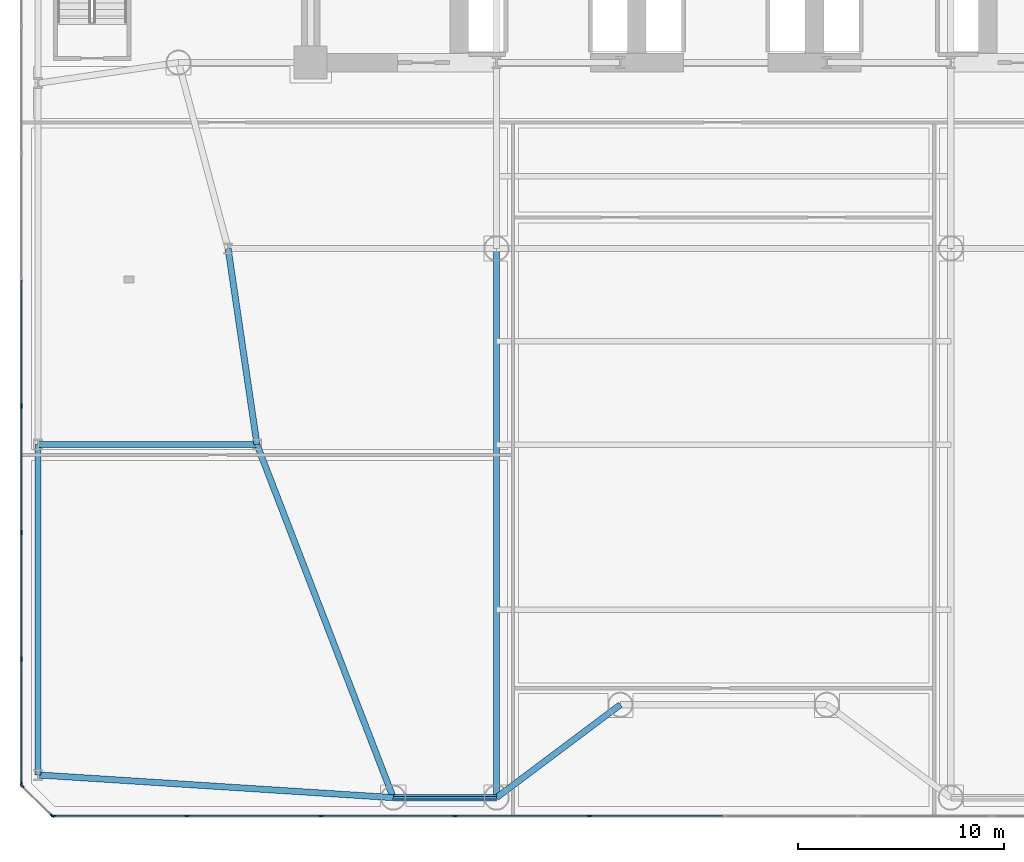
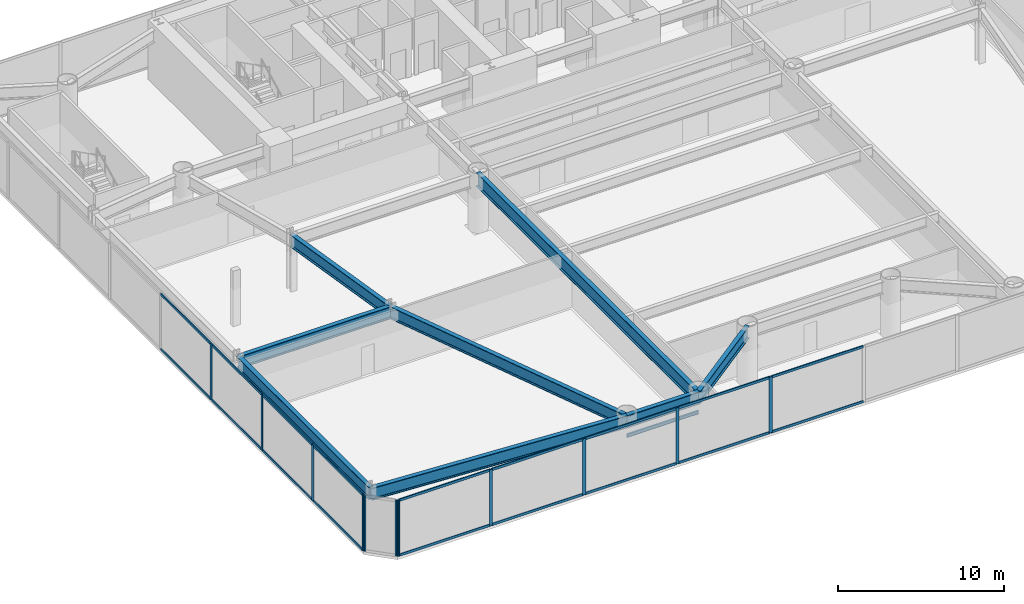
# One storey, part 2 of 24: 29 members, 9 beams, 3 elements without a shape of their own.
"""IFC4 building model written with IfcOpenShell, lengths in metres."""

from ifc_helpers import new_model, si_unit, direction, frame, origin, origin_2d, place, context, subcontext, project, spatial, rectangle, i_section, extrude, source, transform, mapped, material, layer, layer_set, material_profile, profile_set, type_object, element, aggregate, save


model = new_model("IFC4")

# Units and contexts
model_context = context("Model", 3, precision=1e-05, world=origin(), true_north=direction((0.0, 1.0)))
body_context = subcontext(model_context, "Body", "Model", "MODEL_VIEW")
ifc_project = project(units=[si_unit("LENGTHUNIT", "METRE"), si_unit("AREAUNIT", "SQUARE_METRE"), si_unit("VOLUMEUNIT", "CUBIC_METRE"), si_unit("PLANEANGLEUNIT", "RADIAN"), si_unit("MASSUNIT", "GRAM", prefix="KILO")], contexts=[model_context])

# Site, building, storey
site_placement = place(None, origin())
site = spatial("IfcSite", under=ifc_project, at=site_placement, CompositionType="ELEMENT")
building_placement = place(site_placement, origin())
building = spatial("IfcBuilding", under=site, at=building_placement, Name="Vaeldorn Concourse Tower", CompositionType="ELEMENT")
storey_placement = place(building_placement, frame((0.0, 0.0, 10.0)))
storey = spatial("IfcBuildingStorey", under=building, at=storey_placement, Name="L02", CompositionType="ELEMENT", Elevation=10.0)

# Beams
ifc_material_1 = material(Name="Steel S355", Category="steel")
ifc_material_profile_1 = material_profile(ifc_material_1, i_section(OverallWidth=0.302001953125, OverallDepth=0.909912109375, WebThickness=0.02099609375, FlangeThickness=0.0400390625, FilletRadius=0.030029296875, at=origin_2d()), Name="HEM 900")
ifc_profile_set_1 = profile_set([ifc_material_profile_1], Name="Steel S355")
beam_type_1 = type_object("IfcBeamType", Name="BM-PG-HEM900", PredefinedType="BEAM", material=ifc_profile_set_1)
shared_shape_1 = source(origin(), body_context, "Body", "SweptSolid", [
    extrude(i_section(OverallWidth=0.302001953125, OverallDepth=0.909912109375, WebThickness=0.02099609375, FlangeThickness=0.0400390625, FilletRadius=0.030029296875, at=origin_2d()), origin(), (0.0, 0.0, 1.0), 16.0),
])
beam_1_placement = place(storey_placement, frame((0.800048828125, 2.0, 3.6650390625), z_axis=(0.0, 1.0, 0.0), x_axis=(-1.0, 0.0, 0.0)))
element("IfcBeam", 1, at=beam_1_placement, inside=storey, type_object=beam_type_1, Name="Beam BM-L02-C-PW1-C-PW2", PredefinedType="BEAM", context=body_context, shape_type="MappedRepresentation", body=[
    mapped(shared_shape_1, transform((0.0, 0.0, 0.0), scale=1.0)),
])
shared_shape_2 = source(origin(), body_context, "Body", "SweptSolid", [
    extrude(i_section(OverallWidth=0.302001953125, OverallDepth=0.909912109375, WebThickness=0.02099609375, FlangeThickness=0.0400390625, FilletRadius=0.030029296875, at=origin_2d()), origin(), (0.0, 0.0, 1.0), 5.0),
])
beam_2_placement = place(storey_placement, frame((18.0, 0.89990234375, 3.6650390625), z_axis=(1.0, 0.0, 0.0), x_axis=(0.0, 1.0, 0.0)))
element("IfcBeam", 2, at=beam_2_placement, inside=storey, type_object=beam_type_1, Name="Beam BM-L02-C-SM1-C-SM2", PredefinedType="BEAM", context=body_context, shape_type="MappedRepresentation", body=[
    mapped(shared_shape_2, transform((0.0, 0.0, 0.0), scale=1.0)),
])
shared_shape_3 = source(origin(), body_context, "Body", "SweptSolid", [
    extrude(i_section(OverallWidth=0.302001953125, OverallDepth=0.909912109375, WebThickness=0.02099609375, FlangeThickness=0.0400390625, FilletRadius=0.030029296875, at=origin_2d()), origin(), (0.0, 0.0, 1.0), 7.5),
])
beam_3_placement = place(storey_placement, frame((23.0, 0.89990234375, 3.6650390625), z_axis=(0.8, 0.6, 0.0), x_axis=(-0.6, 0.8, 0.0)))
element("IfcBeam", 3, at=beam_3_placement, inside=storey, type_object=beam_type_1, Name="Beam BM-L02-C-SM2-C-SM3", PredefinedType="BEAM", context=body_context, shape_type="MappedRepresentation", body=[
    mapped(shared_shape_3, transform((0.0, 0.0, 0.0), scale=1.0)),
])
shared_shape_4 = source(origin(), body_context, "Body", "SweptSolid", [
    extrude(i_section(OverallWidth=0.302001953125, OverallDepth=0.909912109375, WebThickness=0.02099609375, FlangeThickness=0.0400390625, FilletRadius=0.030029296875, at=origin_2d()), origin(), (0.0, 0.0, 1.0), 17.235107421875),
])
beam_4_placement = place(storey_placement, frame((0.800048828125, 2.0, 3.6650390625), z_axis=(0.997960855094, -0.063828925254, 0.0), x_axis=(0.063828925254, 0.997960855094, 0.0)))
element("IfcBeam", 4, at=beam_4_placement, inside=storey, type_object=beam_type_1, Name="Beam BM-L02-C-PW1-C-SM1", PredefinedType="BEAM", context=body_context, shape_type="MappedRepresentation", body=[
    mapped(shared_shape_4, transform((0.0, 0.0, 0.0), scale=1.0)),
])
shared_shape_5 = source(origin(), body_context, "Body", "SweptSolid", [
    extrude(i_section(OverallWidth=0.302001953125, OverallDepth=0.909912109375, WebThickness=0.02099609375, FlangeThickness=0.0400390625, FilletRadius=0.030029296875, at=origin_2d()), origin(), (0.0, 0.0, 1.0), 9.6025390625),
])
beam_5_placement = place(storey_placement, frame((10.0, 27.5, 3.6650390625), z_axis=(0.145783835977, -0.989316467652, 0.0), x_axis=(0.989316467652, 0.145783835977, 0.0)))
element("IfcBeam", 5, at=beam_5_placement, inside=storey, type_object=beam_type_1, Name="Beam BM-L02-C-FLW1-C-FLW2", PredefinedType="BEAM", context=body_context, shape_type="MappedRepresentation", body=[
    mapped(shared_shape_5, transform((0.0, 0.0, 0.0), scale=1.0)),
])
shared_shape_6 = source(origin(), body_context, "Body", "SweptSolid", [
    extrude(i_section(OverallWidth=0.302001953125, OverallDepth=0.909912109375, WebThickness=0.02099609375, FlangeThickness=0.0400390625, FilletRadius=0.030029296875, at=origin_2d()), origin(), (0.0, 0.0, 1.0), 18.32958984375),
])
beam_6_placement = place(storey_placement, frame((11.39990234375, 18.0, 3.6650390625), z_axis=(0.36007844134, -0.932922031084, 0.0), x_axis=(0.932922031084, 0.36007844134, 0.0)))
element("IfcBeam", 6, at=beam_6_placement, inside=storey, type_object=beam_type_1, Name="Beam BM-L02-C-FLW2-C-SM1", PredefinedType="BEAM", context=body_context, shape_type="MappedRepresentation", body=[
    mapped(shared_shape_6, transform((0.0, 0.0, 0.0), scale=1.0)),
])
ifc_material_2 = material(Name="Steel S460", Category="steel")
ifc_material_profile_2 = material_profile(ifc_material_2, i_section(OverallWidth=0.302001953125, OverallDepth=1.008056640625, WebThickness=0.02099609375, FlangeThickness=0.0400390625, FilletRadius=0.030029296875, at=origin_2d()), Name="HEM 1000")
ifc_profile_set_2 = profile_set([ifc_material_profile_2], Name="Steel S460")
beam_type_2 = type_object("IfcBeamType", Name="BM-TG-HEM1000", PredefinedType="BEAM", material=ifc_profile_set_2)
shared_shape_7 = source(origin(), body_context, "Body", "SweptSolid", [
    extrude(i_section(OverallWidth=0.302001953125, OverallDepth=1.008056640625, WebThickness=0.02099609375, FlangeThickness=0.0400390625, FilletRadius=0.030029296875, at=origin_2d()), origin(), (0.0, 0.0, 1.0), 26.60009765625),
])
beam_7_placement = place(storey_placement, frame((23.0, 0.89990234375, 3.615966796875), z_axis=(0.0, 1.0, 0.0), x_axis=(-1.0, 0.0, 0.0)))
element("IfcBeam", 7, at=beam_7_placement, inside=storey, type_object=beam_type_2, Name="Beam BM-L02-C-SM2-C-TW1", PredefinedType="BEAM", context=body_context, shape_type="MappedRepresentation", body=[
    mapped(shared_shape_7, transform((0.0, 0.0, 0.0), scale=1.0)),
])
shared_shape_8 = source(origin(), body_context, "Body", "SweptSolid", [
    extrude(i_section(OverallWidth=0.302001953125, OverallDepth=0.909912109375, WebThickness=0.02099609375, FlangeThickness=0.0400390625, FilletRadius=0.030029296875, at=origin_2d()), origin(), (0.0, 0.0, 1.0), 10.599853515625),
])
beam_8_placement = place(storey_placement, frame((0.800048828125, 18.0, 3.6650390625), z_axis=(1.0, 0.0, 0.0), x_axis=(0.0, 1.0, 0.0)))
element("IfcBeam", 8, at=beam_8_placement, inside=storey, type_object=beam_type_1, Name="Beam BM-L02-C-PW2-C-FLW2", PredefinedType="BEAM", context=body_context, shape_type="MappedRepresentation", body=[
    mapped(shared_shape_8, transform((0.0, 0.0, 0.0), scale=1.0)),
])
ifc_material_profile_3 = material_profile(ifc_material_1, i_section(OverallWidth=0.1201171875, OverallDepth=0.239990234375, WebThickness=0.006103515625, FlangeThickness=0.009765625, FilletRadius=0.014892578125, at=origin_2d()), Name="IPE 240")
ifc_profile_set_3 = profile_set([ifc_material_profile_3], Name="Steel S355")
beam_type_3 = type_object("IfcBeamType", Name="BM-LN-IPE240", PredefinedType="LINTEL", material=ifc_profile_set_3)
shared_shape_9 = source(origin(), body_context, "Body", "SweptSolid", [
    extrude(i_section(OverallWidth=0.1201171875, OverallDepth=0.239990234375, WebThickness=0.006103515625, FlangeThickness=0.009765625, FilletRadius=0.014892578125, at=origin_2d()), origin(), (0.0, 0.0, 1.0), 5.0),
])
beam_9_placement = place(storey_placement, frame((18.0, 0.89990234375, 2.550048828125), z_axis=(1.0, 0.0, 0.0), x_axis=(0.0, 1.0, 0.0)))
element("IfcBeam", 9, at=beam_9_placement, inside=storey, type_object=beam_type_3, Name="Podium Concourse Transom Lintel L02-1", PredefinedType="LINTEL", context=body_context, shape_type="MappedRepresentation", body=[
    mapped(shared_shape_9, transform((0.0, 0.0, 0.0), scale=1.0)),
])

# Curtain wall, members
ifc_material_3 = material(Name="Anodised Bronze Aluminium", Category="aluminium")
ifc_layer = layer(ifc_material_3, 0.239990234375)
ifc_layer_set = layer_set([ifc_layer], Name="Anodised Bronze Aluminium")
curtain_wall_type = type_object("IfcCurtainWallType", Name="CW-SYS-04", PredefinedType="NOTDEFINED", material=ifc_layer_set)
curtain_wall_1_placement = place(storey_placement, origin())
curtain_wall_1 = element("IfcCurtainWall", 10, at=curtain_wall_1_placement, inside=storey, type_object=curtain_wall_type, Name="Unitised Curtain Wall CW-L02-E01-1", PredefinedType="NOTDEFINED")
ifc_material_profile_4 = material_profile(ifc_material_3, rectangle(XDim=0.074951171875, YDim=0.179931640625, at=origin_2d()), Name="CWT 75x180")
ifc_profile_set_4 = profile_set([ifc_material_profile_4], Name="Anodised Bronze Aluminium")
member_type_1 = type_object("IfcMemberType", Name="CWT-BRONZE-180", PredefinedType="USERDEFINED", material=ifc_profile_set_4)
shared_shape_10 = source(origin(), body_context, "Body", "SweptSolid", [
    extrude(rectangle(XDim=0.074951171875, YDim=0.179931640625, at=origin_2d()), origin(), (0.0, 0.0, 1.0), 6.387451171875),
])
member_1_placement = place(storey_placement, frame((1.574951171875, 0.0, 0.03759765625), z_axis=(1.0, 0.0, 0.0), x_axis=(0.0, 1.0, 0.0)))
member_1 = element("IfcMember", 11, at=member_1_placement, type_object=member_type_1, Name="CW-04 transom 1.1", ObjectType="TRANSOM", PredefinedType="USERDEFINED", context=body_context, shape_type="MappedRepresentation", body=[
    mapped(shared_shape_10, transform((0.0, 0.0, 0.0), scale=1.0)),
])
member_2_placement = place(storey_placement, frame((1.574951171875, 0.0, 4.08251953125), z_axis=(1.0, 0.0, 0.0), x_axis=(0.0, 1.0, 0.0)))
member_2 = element("IfcMember", 12, at=member_2_placement, type_object=member_type_1, Name="CW-04 transom 1.2", ObjectType="TRANSOM", PredefinedType="USERDEFINED", context=body_context, shape_type="MappedRepresentation", body=[
    mapped(shared_shape_10, transform((0.0, 0.0, 0.0), scale=1.0)),
])
shared_shape_11 = source(origin(), body_context, "Body", "SweptSolid", [
    extrude(rectangle(XDim=0.074951171875, YDim=0.179931640625, at=origin_2d()), origin(), (0.0, 0.0, 1.0), 6.4248046875),
])
member_3_placement = place(storey_placement, frame((8.03759765625, 0.0, 0.03759765625), z_axis=(1.0, 0.0, 0.0), x_axis=(0.0, 1.0, 0.0)))
member_3 = element("IfcMember", 13, at=member_3_placement, type_object=member_type_1, Name="CW-04 transom 2.1", ObjectType="TRANSOM", PredefinedType="USERDEFINED", context=body_context, shape_type="MappedRepresentation", body=[
    mapped(shared_shape_11, transform((0.0, 0.0, 0.0), scale=1.0)),
])
member_4_placement = place(storey_placement, frame((8.03759765625, 0.0, 4.08251953125), z_axis=(1.0, 0.0, 0.0), x_axis=(0.0, 1.0, 0.0)))
member_4 = element("IfcMember", 14, at=member_4_placement, type_object=member_type_1, Name="CW-04 transom 2.2", ObjectType="TRANSOM", PredefinedType="USERDEFINED", context=body_context, shape_type="MappedRepresentation", body=[
    mapped(shared_shape_11, transform((0.0, 0.0, 0.0), scale=1.0)),
])
member_5_placement = place(storey_placement, frame((14.53759765625, 0.0, 0.03759765625), z_axis=(1.0, 0.0, 0.0), x_axis=(0.0, 1.0, 0.0)))
member_5 = element("IfcMember", 15, at=member_5_placement, type_object=member_type_1, Name="CW-04 transom 3.1", ObjectType="TRANSOM", PredefinedType="USERDEFINED", context=body_context, shape_type="MappedRepresentation", body=[
    mapped(shared_shape_11, transform((0.0, 0.0, 0.0), scale=1.0)),
])
member_6_placement = place(storey_placement, frame((14.53759765625, 0.0, 4.08251953125), z_axis=(1.0, 0.0, 0.0), x_axis=(0.0, 1.0, 0.0)))
member_6 = element("IfcMember", 16, at=member_6_placement, type_object=member_type_1, Name="CW-04 transom 3.2", ObjectType="TRANSOM", PredefinedType="USERDEFINED", context=body_context, shape_type="MappedRepresentation", body=[
    mapped(shared_shape_11, transform((0.0, 0.0, 0.0), scale=1.0)),
])
member_7_placement = place(storey_placement, frame((21.03759765625, 0.0, 0.03759765625), z_axis=(1.0, 0.0, 0.0), x_axis=(0.0, 1.0, 0.0)))
member_7 = element("IfcMember", 17, at=member_7_placement, type_object=member_type_1, Name="CW-04 transom 4.1", ObjectType="TRANSOM", PredefinedType="USERDEFINED", context=body_context, shape_type="MappedRepresentation", body=[
    mapped(shared_shape_11, transform((0.0, 0.0, 0.0), scale=1.0)),
])
member_8_placement = place(storey_placement, frame((21.03759765625, 0.0, 4.08251953125), z_axis=(1.0, 0.0, 0.0), x_axis=(0.0, 1.0, 0.0)))
member_8 = element("IfcMember", 18, at=member_8_placement, type_object=member_type_1, Name="CW-04 transom 4.2", ObjectType="TRANSOM", PredefinedType="USERDEFINED", context=body_context, shape_type="MappedRepresentation", body=[
    mapped(shared_shape_11, transform((0.0, 0.0, 0.0), scale=1.0)),
])
member_9_placement = place(storey_placement, frame((27.53759765625, 0.0, 0.03759765625), z_axis=(1.0, 0.0, 0.0), x_axis=(0.0, 1.0, 0.0)))
member_9 = element("IfcMember", 19, at=member_9_placement, type_object=member_type_1, Name="CW-04 transom 5.1", ObjectType="TRANSOM", PredefinedType="USERDEFINED", context=body_context, shape_type="MappedRepresentation", body=[
    mapped(shared_shape_11, transform((0.0, 0.0, 0.0), scale=1.0)),
])
member_10_placement = place(storey_placement, frame((27.53759765625, 0.0, 4.08251953125), z_axis=(1.0, 0.0, 0.0), x_axis=(0.0, 1.0, 0.0)))
member_10 = element("IfcMember", 20, at=member_10_placement, type_object=member_type_1, Name="CW-04 transom 5.2", ObjectType="TRANSOM", PredefinedType="USERDEFINED", context=body_context, shape_type="MappedRepresentation", body=[
    mapped(shared_shape_11, transform((0.0, 0.0, 0.0), scale=1.0)),
])

curtain_wall_2_placement = place(storey_placement, origin())
curtain_wall_2 = element("IfcCurtainWall", 21, at=curtain_wall_2_placement, inside=storey, type_object=curtain_wall_type, Name="Unitised Curtain Wall CW-L02-E07-1", PredefinedType="NOTDEFINED")
shared_shape_12 = source(origin(), body_context, "Body", "SweptSolid", [
    extrude(rectangle(XDim=0.074951171875, YDim=0.179931640625, at=origin_2d()), origin(), (0.0, 0.0, 1.0), 6.012451171875),
])
member_11_placement = place(storey_placement, frame((0.0, 7.58740234375, 0.03759765625), z_axis=(0.0, -1.0, 0.0), x_axis=(1.0, 0.0, 0.0)))
member_11 = element("IfcMember", 22, at=member_11_placement, type_object=member_type_1, Name="CW-04 transom 8.1", ObjectType="TRANSOM", PredefinedType="USERDEFINED", context=body_context, shape_type="MappedRepresentation", body=[
    mapped(shared_shape_12, transform((0.0, 0.0, 0.0), scale=1.0)),
])
member_12_placement = place(storey_placement, frame((0.0, 7.58740234375, 4.08251953125), z_axis=(0.0, -1.0, 0.0), x_axis=(1.0, 0.0, 0.0)))
member_12 = element("IfcMember", 23, at=member_12_placement, type_object=member_type_1, Name="CW-04 transom 8.2", ObjectType="TRANSOM", PredefinedType="USERDEFINED", context=body_context, shape_type="MappedRepresentation", body=[
    mapped(shared_shape_12, transform((0.0, 0.0, 0.0), scale=1.0)),
])
shared_shape_13 = source(origin(), body_context, "Body", "SweptSolid", [
    extrude(rectangle(XDim=0.074951171875, YDim=0.179931640625, at=origin_2d()), origin(), (0.0, 0.0, 1.0), 6.0498046875),
])
member_13_placement = place(storey_placement, frame((0.0, 25.96240234375, 0.03759765625), z_axis=(0.0, -1.0, 0.0), x_axis=(1.0, 0.0, 0.0)))
member_13 = element("IfcMember", 24, at=member_13_placement, type_object=member_type_1, Name="CW-04 transom 5.1", ObjectType="TRANSOM", PredefinedType="USERDEFINED", context=body_context, shape_type="MappedRepresentation", body=[
    mapped(shared_shape_13, transform((0.0, 0.0, 0.0), scale=1.0)),
])
member_14_placement = place(storey_placement, frame((0.0, 25.96240234375, 4.08251953125), z_axis=(0.0, -1.0, 0.0), x_axis=(1.0, 0.0, 0.0)))
member_14 = element("IfcMember", 25, at=member_14_placement, type_object=member_type_1, Name="CW-04 transom 5.2", ObjectType="TRANSOM", PredefinedType="USERDEFINED", context=body_context, shape_type="MappedRepresentation", body=[
    mapped(shared_shape_13, transform((0.0, 0.0, 0.0), scale=1.0)),
])
member_15_placement = place(storey_placement, frame((0.0, 19.83740234375, 0.03759765625), z_axis=(0.0, -1.0, 0.0), x_axis=(1.0, 0.0, 0.0)))
member_15 = element("IfcMember", 26, at=member_15_placement, type_object=member_type_1, Name="CW-04 transom 6.1", ObjectType="TRANSOM", PredefinedType="USERDEFINED", context=body_context, shape_type="MappedRepresentation", body=[
    mapped(shared_shape_13, transform((0.0, 0.0, 0.0), scale=1.0)),
])
member_16_placement = place(storey_placement, frame((0.0, 19.83740234375, 4.08251953125), z_axis=(0.0, -1.0, 0.0), x_axis=(1.0, 0.0, 0.0)))
member_16 = element("IfcMember", 27, at=member_16_placement, type_object=member_type_1, Name="CW-04 transom 6.2", ObjectType="TRANSOM", PredefinedType="USERDEFINED", context=body_context, shape_type="MappedRepresentation", body=[
    mapped(shared_shape_13, transform((0.0, 0.0, 0.0), scale=1.0)),
])
member_17_placement = place(storey_placement, frame((0.0, 13.71240234375, 0.03759765625), z_axis=(0.0, -1.0, 0.0), x_axis=(1.0, 0.0, 0.0)))
member_17 = element("IfcMember", 28, at=member_17_placement, type_object=member_type_1, Name="CW-04 transom 7.1", ObjectType="TRANSOM", PredefinedType="USERDEFINED", context=body_context, shape_type="MappedRepresentation", body=[
    mapped(shared_shape_13, transform((0.0, 0.0, 0.0), scale=1.0)),
])
member_18_placement = place(storey_placement, frame((0.0, 13.71240234375, 4.08251953125), z_axis=(0.0, -1.0, 0.0), x_axis=(1.0, 0.0, 0.0)))
member_18 = element("IfcMember", 29, at=member_18_placement, type_object=member_type_1, Name="CW-04 transom 7.2", ObjectType="TRANSOM", PredefinedType="USERDEFINED", context=body_context, shape_type="MappedRepresentation", body=[
    mapped(shared_shape_13, transform((0.0, 0.0, 0.0), scale=1.0)),
])

# Member
ifc_material_profile_5 = material_profile(ifc_material_3, rectangle(XDim=0.074951171875, YDim=0.219970703125, at=origin_2d()), Name="CWM 75x220")
ifc_profile_set_5 = profile_set([ifc_material_profile_5], Name="Anodised Bronze Aluminium")
member_type_2 = type_object("IfcMemberType", Name="CWM-BRONZE-220", PredefinedType="MULLION", material=ifc_profile_set_5)
shared_shape_14 = source(origin(), body_context, "Body", "SweptSolid", [
    extrude(rectangle(XDim=0.074951171875, YDim=0.219970703125, at=origin_2d()), origin(), (0.0, 0.0, 1.0), 4.1201171875),
])
member_19_placement = place(storey_placement, frame((1.53759765625, 0.0, 0.0), z_axis=(0.0, 0.0, 1.0), x_axis=(0.0, 1.0, 0.0)))
member_19 = element("IfcMember", 30, at=member_19_placement, type_object=member_type_2, Name="CW-04 mullion 1", PredefinedType="MULLION", context=body_context, shape_type="MappedRepresentation", body=[
    mapped(shared_shape_14, transform((0.0, 0.0, 0.0), scale=1.0)),
])

member_20_placement = place(storey_placement, frame((8.0, 0.0, 0.0), z_axis=(0.0, 0.0, 1.0), x_axis=(0.0, 1.0, 0.0)))
member_20 = element("IfcMember", 31, at=member_20_placement, type_object=member_type_2, Name="CW-04 mullion 2", PredefinedType="MULLION", context=body_context, shape_type="MappedRepresentation", body=[
    mapped(shared_shape_14, transform((0.0, 0.0, 0.0), scale=1.0)),
])

member_21_placement = place(storey_placement, frame((14.5, 0.0, 0.0), z_axis=(0.0, 0.0, 1.0), x_axis=(0.0, 1.0, 0.0)))
member_21 = element("IfcMember", 32, at=member_21_placement, type_object=member_type_2, Name="CW-04 mullion 3", PredefinedType="MULLION", context=body_context, shape_type="MappedRepresentation", body=[
    mapped(shared_shape_14, transform((0.0, 0.0, 0.0), scale=1.0)),
])

member_22_placement = place(storey_placement, frame((21.0, 0.0, 0.0), z_axis=(0.0, 0.0, 1.0), x_axis=(0.0, 1.0, 0.0)))
member_22 = element("IfcMember", 33, at=member_22_placement, type_object=member_type_2, Name="CW-04 mullion 4", PredefinedType="MULLION", context=body_context, shape_type="MappedRepresentation", body=[
    mapped(shared_shape_14, transform((0.0, 0.0, 0.0), scale=1.0)),
])

member_23_placement = place(storey_placement, frame((27.5, 0.0, 0.0), z_axis=(0.0, 0.0, 1.0), x_axis=(0.0, 1.0, 0.0)))
member_23 = element("IfcMember", 34, at=member_23_placement, type_object=member_type_2, Name="CW-04 mullion 5", PredefinedType="MULLION", context=body_context, shape_type="MappedRepresentation", body=[
    mapped(shared_shape_14, transform((0.0, 0.0, 0.0), scale=1.0)),
])

aggregate(curtain_wall_1, [member_19, member_20, member_21, member_22, member_23, member_1, member_2, member_3, member_4, member_5, member_6, member_7, member_8, member_9, member_10])

member_24_placement = place(storey_placement, frame((0.0, 19.875, 0.0), z_axis=(0.0, 0.0, 1.0), x_axis=(1.0, 0.0, 0.0)))
member_24 = element("IfcMember", 35, at=member_24_placement, type_object=member_type_2, Name="CW-04 mullion 6", PredefinedType="MULLION", context=body_context, shape_type="MappedRepresentation", body=[
    mapped(shared_shape_14, transform((0.0, 0.0, 0.0), scale=1.0)),
])

member_25_placement = place(storey_placement, frame((0.0, 13.75, 0.0), z_axis=(0.0, 0.0, 1.0), x_axis=(1.0, 0.0, 0.0)))
member_25 = element("IfcMember", 36, at=member_25_placement, type_object=member_type_2, Name="CW-04 mullion 7", PredefinedType="MULLION", context=body_context, shape_type="MappedRepresentation", body=[
    mapped(shared_shape_14, transform((0.0, 0.0, 0.0), scale=1.0)),
])

member_26_placement = place(storey_placement, frame((0.0, 7.625, 0.0), z_axis=(0.0, 0.0, 1.0), x_axis=(1.0, 0.0, 0.0)))
member_26 = element("IfcMember", 37, at=member_26_placement, type_object=member_type_2, Name="CW-04 mullion 8", PredefinedType="MULLION", context=body_context, shape_type="MappedRepresentation", body=[
    mapped(shared_shape_14, transform((0.0, 0.0, 0.0), scale=1.0)),
])

member_27_placement = place(storey_placement, frame((0.0, 1.53759765625, 0.0), z_axis=(0.0, 0.0, 1.0), x_axis=(1.0, 0.0, 0.0)))
member_27 = element("IfcMember", 38, at=member_27_placement, type_object=member_type_2, Name="CW-04 mullion 9", PredefinedType="MULLION", context=body_context, shape_type="MappedRepresentation", body=[
    mapped(shared_shape_14, transform((0.0, 0.0, 0.0), scale=1.0)),
])

aggregate(curtain_wall_2, [member_24, member_25, member_26, member_27, member_13, member_14, member_15, member_16, member_17, member_18, member_11, member_12])

# Curtain wall, members
curtain_wall_3_placement = place(storey_placement, origin())
curtain_wall_3 = element("IfcCurtainWall", 39, at=curtain_wall_3_placement, inside=storey, type_object=curtain_wall_type, Name="Unitised Curtain Wall CW-L02-E08-1", PredefinedType="NOTDEFINED")
member_28_placement = place(storey_placement, frame((0.026611328125, 1.473388671875, 0.0), z_axis=(0.0, 0.0, 1.0), x_axis=(0.707106781187, 0.707106781187, 0.0)))
member_28 = element("IfcMember", 40, at=member_28_placement, type_object=member_type_2, Name="CW-04 mullion 1", PredefinedType="MULLION", context=body_context, shape_type="MappedRepresentation", body=[
    mapped(shared_shape_14, transform((0.0, 0.0, 0.0), scale=1.0)),
])
member_29_placement = place(storey_placement, frame((1.473388671875, 0.026611328125, 0.0), z_axis=(0.0, 0.0, 1.0), x_axis=(0.707106781187, 0.707106781187, 0.0)))
member_29 = element("IfcMember", 41, at=member_29_placement, type_object=member_type_2, Name="CW-04 mullion 2", PredefinedType="MULLION", context=body_context, shape_type="MappedRepresentation", body=[
    mapped(shared_shape_14, transform((0.0, 0.0, 0.0), scale=1.0)),
])
aggregate(curtain_wall_3, [member_28, member_29])

save(model, "model.ifc")
